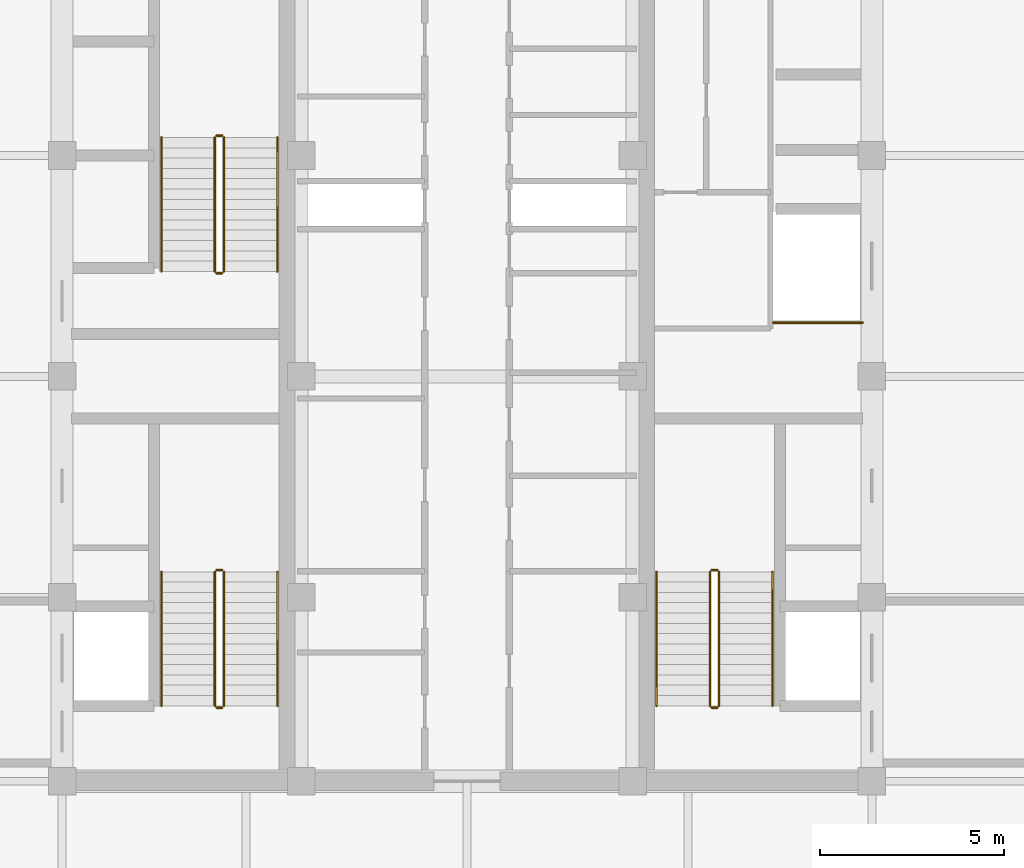
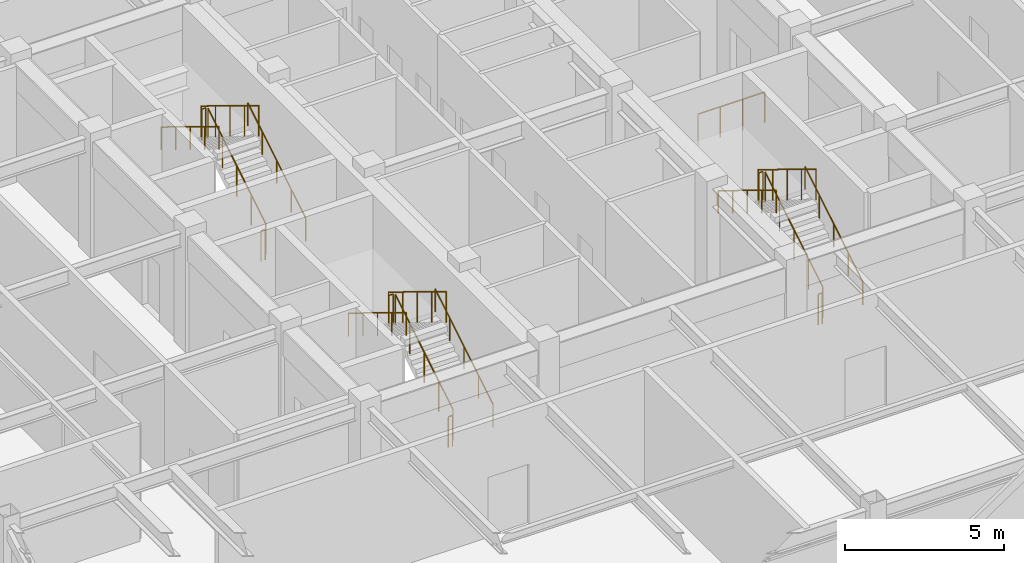
# One storey, part 27 of 27: 19 railings.
"""IFC4 building model written with IfcOpenShell, lengths in metres."""

from ifc_helpers import new_model, si_unit, direction, frame, origin, origin_2d, place, context, subcontext, project, spatial, circle, extrude, source, transform, mapped, material, type_object, element, save


model = new_model("IFC4")

# Units and contexts
model_context = context("Model", 3, precision=1e-05, world=origin(), true_north=direction((0.0, 1.0)))
body_context = subcontext(model_context, "Body", "Model", "MODEL_VIEW")
ifc_project = project(units=[si_unit("LENGTHUNIT", "METRE"), si_unit("AREAUNIT", "SQUARE_METRE"), si_unit("VOLUMEUNIT", "CUBIC_METRE"), si_unit("PLANEANGLEUNIT", "RADIAN"), si_unit("MASSUNIT", "GRAM", prefix="KILO")], contexts=[model_context])

# Site, building, storey
site_placement = place(None, origin())
site = spatial("IfcSite", under=ifc_project, at=site_placement, CompositionType="ELEMENT")
building_placement = place(site_placement, origin())
building = spatial("IfcBuilding", under=site, at=building_placement, Name="Khorayat Bourse Tower", CompositionType="ELEMENT")
storey_placement = place(building_placement, frame((0.0, 0.0, 385.10009765625)))
storey = spatial("IfcBuildingStorey", under=building, at=storey_placement, Name="L91", CompositionType="ELEMENT", Elevation=385.10009765625)

# Railings
ifc_material_1 = material(Name="Powder-coated steel balustrade", Category="steel")
railing_type_1 = type_object("IfcRailingType", Name="RLG-GUARD-1200", PredefinedType="GUARDRAIL", material=ifc_material_1)
shared_shape_1 = source(origin(), body_context, "Body", "SweptSolid", [
    extrude(circle(Radius=0.02392578125, at=origin_2d()), frame((0.0, 0.0, 1.17578125), z_axis=(0.0, 0.852850264322, 0.5221555579), x_axis=(-1.0, 0.0, 0.0)), (0.0, 0.0, 1.0), 4.267822265625),
    extrude(circle(Radius=0.02099609375, at=origin_2d()), origin(), (0.0, 0.0, 1.0), 1.15185546875),
    extrude(circle(Radius=0.02099609375, at=origin_2d()), frame((0.0, 0.909912109375, 0.55712890625)), (0.0, 0.0, 1.0), 1.15185546875),
    extrude(circle(Radius=0.02099609375, at=origin_2d()), frame((0.0, 1.81982421875, 1.1142578125)), (0.0, 0.0, 1.0), 1.15185546875),
    extrude(circle(Radius=0.02099609375, at=origin_2d()), frame((0.0, 2.72998046875, 1.67138671875)), (0.0, 0.0, 1.0), 1.15185546875),
    extrude(circle(Radius=0.02099609375, at=origin_2d()), frame((0.0, 3.639892578125, 2.228515625)), (0.0, 0.0, 1.0), 1.15185546875),
])
for number, where, name in (
    (1, (-6.60009765625, -8.949951171875, 0.17138671875), "L91 ST-1 stair guard 1"),
    (2, (-6.60009765625, 2.85009765625, 0.17138671875), "L91 ST-2 stair guard 1"),
    (3, (6.85009765625, -8.949951171875, 0.17138671875), "L91 ST-3 stair guard 1"),
):
    element("IfcRailing", number, at=place(storey_placement, frame(where)), inside=storey, type_object=railing_type_1, Name=name, PredefinedType="GUARDRAIL", context=body_context, shape_type="MappedRepresentation", body=[
        mapped(shared_shape_1, transform((0.0, 0.0, 0.0), scale=1.0)),
    ])
shared_shape_2 = source(origin(), body_context, "Body", "SweptSolid", [
    extrude(circle(Radius=0.02392578125, at=origin_2d()), frame((0.0, 0.0, 1.17578125), z_axis=(-1.0, 0.0, 0.0), x_axis=(0.0, -1.0, 0.0)), (0.0, 0.0, 1.0), 0.150146484375),
    extrude(circle(Radius=0.02099609375, at=origin_2d()), origin(), (0.0, 0.0, 1.0), 1.15185546875),
    extrude(circle(Radius=0.02099609375, at=origin_2d()), frame((-0.150146484375, 0.0, 0.0)), (0.0, 0.0, 1.0), 1.15185546875),
])
for number, where, name in (
    (4, (-6.64990234375, -5.260009765625, 2.39990234375), "L91 ST-1 stair guard 2"),
    (5, (-6.64990234375, -9.0, 0.0), "L91 ST-1 stair guard 4"),
    (6, (-6.64990234375, 6.5400390625, 2.39990234375), "L91 ST-2 stair guard 2"),
    (7, (-6.64990234375, 2.800048828125, 0.0), "L91 ST-2 stair guard 4"),
    (8, (6.800048828125, -5.260009765625, 2.39990234375), "L91 ST-3 stair guard 2"),
    (9, (6.800048828125, -9.0, 0.0), "L91 ST-3 stair guard 4"),
):
    element("IfcRailing", number, at=place(storey_placement, frame(where)), inside=storey, type_object=railing_type_1, Name=name, PredefinedType="GUARDRAIL", context=body_context, shape_type="MappedRepresentation", body=[
        mapped(shared_shape_2, transform((0.0, 0.0, 0.0), scale=1.0)),
    ])
shared_shape_3 = source(origin(), body_context, "Body", "SweptSolid", [
    extrude(circle(Radius=0.02392578125, at=origin_2d()), frame((0.0, 0.0, 1.17578125), z_axis=(0.0, -0.852850264322, 0.5221555579), x_axis=(1.0, 0.0, 0.0)), (0.0, 0.0, 1.0), 4.267822265625),
    extrude(circle(Radius=0.02099609375, at=origin_2d()), origin(), (0.0, 0.0, 1.0), 1.15185546875),
    extrude(circle(Radius=0.02099609375, at=origin_2d()), frame((0.0, -0.909912109375, 0.55712890625)), (0.0, 0.0, 1.0), 1.15185546875),
    extrude(circle(Radius=0.02099609375, at=origin_2d()), frame((0.0, -1.81982421875, 1.1142578125)), (0.0, 0.0, 1.0), 1.15185546875),
    extrude(circle(Radius=0.02099609375, at=origin_2d()), frame((0.0, -2.72998046875, 1.67138671875)), (0.0, 0.0, 1.0), 1.15185546875),
    extrude(circle(Radius=0.02099609375, at=origin_2d()), frame((0.0, -3.639892578125, 2.228515625)), (0.0, 0.0, 1.0), 1.15185546875),
])
for number, where, name in (
    (10, (-6.85009765625, -5.31005859375, 2.5712890625), "L91 ST-1 stair guard 3"),
    (11, (-6.85009765625, 6.489990234375, 2.5712890625), "L91 ST-2 stair guard 3"),
    (12, (6.60009765625, -5.31005859375, 2.5712890625), "L91 ST-3 stair guard 3"),
):
    element("IfcRailing", number, at=place(storey_placement, frame(where)), inside=storey, type_object=railing_type_1, Name=name, PredefinedType="GUARDRAIL", context=body_context, shape_type="MappedRepresentation", body=[
        mapped(shared_shape_3, transform((0.0, 0.0, 0.0), scale=1.0)),
    ])
ifc_material_2 = material(Name="Brushed bronze stainless-steel handrail", Category="steel")
railing_type_2 = type_object("IfcRailingType", Name="RLG-HAND-900", PredefinedType="HANDRAIL", material=ifc_material_2)
shared_shape_4 = source(origin(), body_context, "Body", "SweptSolid", [
    extrude(circle(Radius=0.02392578125, at=origin_2d()), frame((0.0, 0.0, 0.8759765625), z_axis=(0.0, 0.852850264322, 0.5221555579), x_axis=(-1.0, 0.0, 0.0)), (0.0, 0.0, 1.0), 4.267822265625),
    extrude(circle(Radius=0.02099609375, at=origin_2d()), origin(), (0.0, 0.0, 1.0), 0.851806640625),
    extrude(circle(Radius=0.02099609375, at=origin_2d()), frame((0.0, 0.909912109375, 0.55712890625)), (0.0, 0.0, 1.0), 0.851806640625),
    extrude(circle(Radius=0.02099609375, at=origin_2d()), frame((0.0, 1.81982421875, 1.1142578125)), (0.0, 0.0, 1.0), 0.851806640625),
    extrude(circle(Radius=0.02099609375, at=origin_2d()), frame((0.0, 2.72998046875, 1.67138671875)), (0.0, 0.0, 1.0), 0.851806640625),
    extrude(circle(Radius=0.02099609375, at=origin_2d()), frame((0.0, 3.639892578125, 2.228515625)), (0.0, 0.0, 1.0), 0.851806640625),
])
for number, where, name in (
    (13, (-5.14990234375, -8.949951171875, 0.17138671875), "L91 ST-1 stair handrail 1"),
    (14, (-5.14990234375, 2.85009765625, 0.17138671875), "L91 ST-2 stair handrail 1"),
    (15, (8.300048828125, -8.949951171875, 0.17138671875), "L91 ST-3 stair handrail 1"),
):
    element("IfcRailing", number, at=place(storey_placement, frame(where)), inside=storey, type_object=railing_type_2, Name=name, PredefinedType="HANDRAIL", context=body_context, shape_type="MappedRepresentation", body=[
        mapped(shared_shape_4, transform((0.0, 0.0, 0.0), scale=1.0)),
    ])
shared_shape_5 = source(origin(), body_context, "Body", "SweptSolid", [
    extrude(circle(Radius=0.02392578125, at=origin_2d()), frame((0.0, 0.0, 0.8759765625), z_axis=(0.0, -0.852850264322, 0.5221555579), x_axis=(1.0, 0.0, 0.0)), (0.0, 0.0, 1.0), 4.267822265625),
    extrude(circle(Radius=0.02099609375, at=origin_2d()), origin(), (0.0, 0.0, 1.0), 0.851806640625),
    extrude(circle(Radius=0.02099609375, at=origin_2d()), frame((0.0, -0.909912109375, 0.55712890625)), (0.0, 0.0, 1.0), 0.851806640625),
    extrude(circle(Radius=0.02099609375, at=origin_2d()), frame((0.0, -1.81982421875, 1.1142578125)), (0.0, 0.0, 1.0), 0.851806640625),
    extrude(circle(Radius=0.02099609375, at=origin_2d()), frame((0.0, -2.72998046875, 1.67138671875)), (0.0, 0.0, 1.0), 0.851806640625),
    extrude(circle(Radius=0.02099609375, at=origin_2d()), frame((0.0, -3.639892578125, 2.228515625)), (0.0, 0.0, 1.0), 0.851806640625),
])
for number, where, name in (
    (16, (-8.300048828125, -5.31005859375, 2.5712890625), "L91 ST-1 stair handrail 2"),
    (17, (-8.300048828125, 6.489990234375, 2.5712890625), "L91 ST-2 stair handrail 2"),
    (18, (5.14990234375, -5.31005859375, 2.5712890625), "L91 ST-3 stair handrail 2"),
):
    element("IfcRailing", number, at=place(storey_placement, frame(where)), inside=storey, type_object=railing_type_2, Name=name, PredefinedType="HANDRAIL", context=body_context, shape_type="MappedRepresentation", body=[
        mapped(shared_shape_5, transform((0.0, 0.0, 0.0), scale=1.0)),
    ])
shared_shape_6 = source(origin(), body_context, "Body", "SweptSolid", [
    extrude(circle(Radius=0.02392578125, at=origin_2d()), frame((0.0, 0.0, 1.17578125), z_axis=(1.0, 0.0, 0.0), x_axis=(0.0, 1.0, 0.0)), (0.0, 0.0, 1.0), 2.429931640625),
    extrude(circle(Radius=0.02099609375, at=origin_2d()), origin(), (0.0, 0.0, 1.0), 1.15185546875),
    extrude(circle(Radius=0.02099609375, at=origin_2d()), frame((0.81005859375, 0.0, 0.0)), (0.0, 0.0, 1.0), 1.15185546875),
    extrude(circle(Radius=0.02099609375, at=origin_2d()), frame((1.619873046875, 0.0, 0.0)), (0.0, 0.0, 1.0), 1.15185546875),
    extrude(circle(Radius=0.02099609375, at=origin_2d()), frame((2.429931640625, 0.0, 0.0)), (0.0, 0.0, 1.0), 1.15185546875),
])
railing_placement = place(storey_placement, frame((8.320068359375, 1.4599609375, 0.0)))
element("IfcRailing", 19, at=railing_placement, inside=storey, type_object=railing_type_1, Name="L91 Goods Shaft Opening Guardrail", PredefinedType="GUARDRAIL", context=body_context, shape_type="MappedRepresentation", body=[
    mapped(shared_shape_6, transform((0.0, 0.0, 0.0), scale=1.0)),
])

save(model, "model.ifc")
